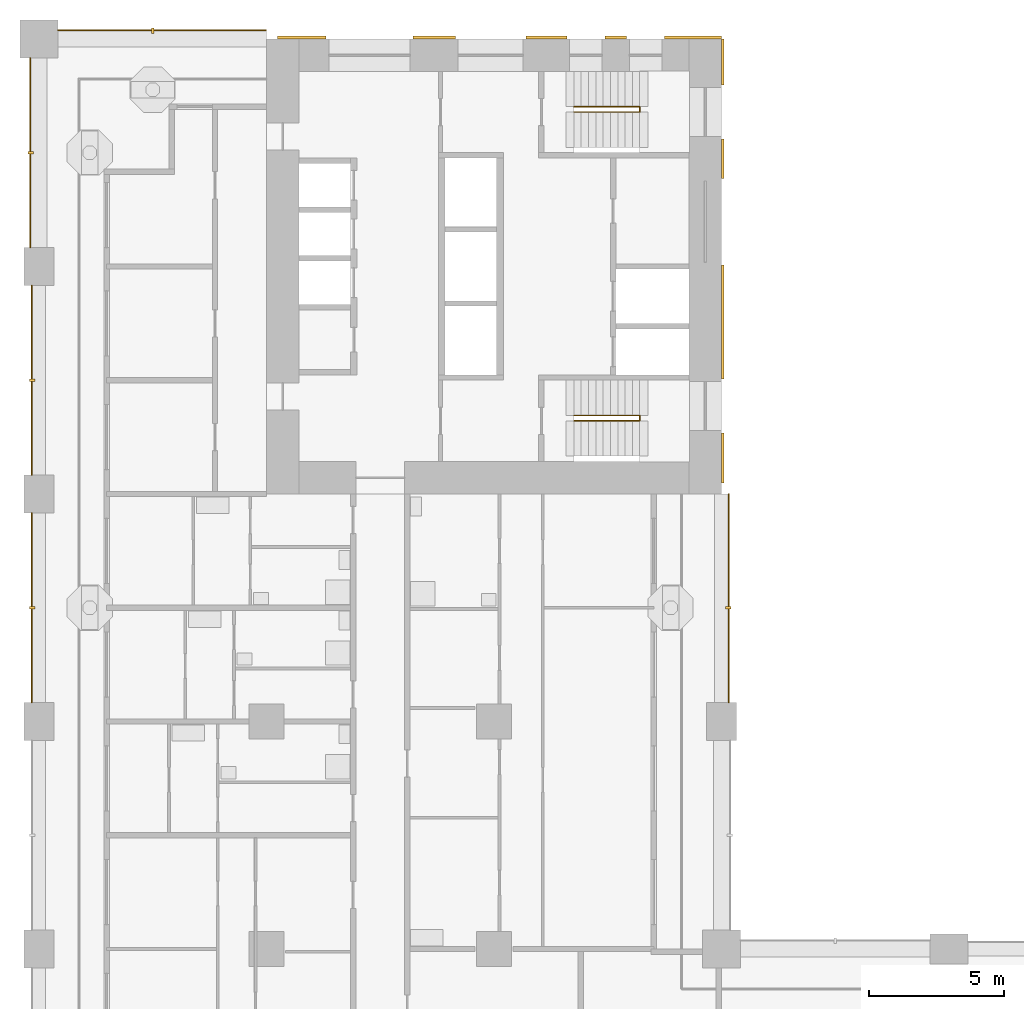
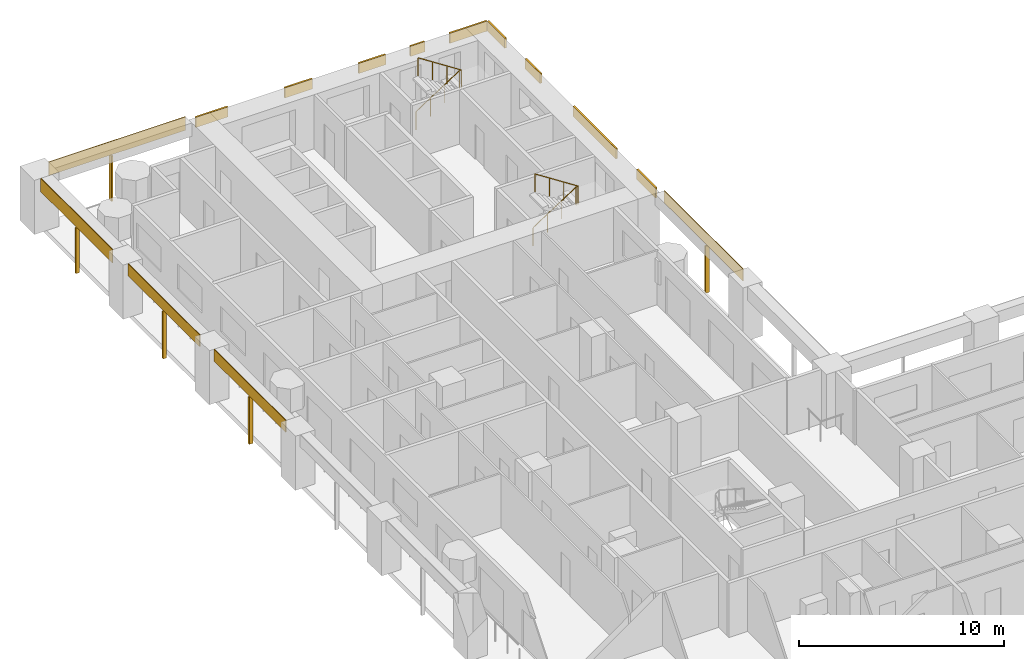
# One storey, part 14 of 19: 19 shading devices, 2 railings.
"""IFC4 building model written with IfcOpenShell, lengths in metres."""

from ifc_helpers import new_model, si_unit, direction, frame, origin, origin_2d, place, context, subcontext, project, spatial, rectangle, circle, extrude, material, layer, layer_set, material_profile, profile_set, type_object, element, save


model = new_model("IFC4")

# Units and contexts
model_context = context("Model", 3, precision=1e-05, world=origin(), true_north=direction((0.0, 1.0)))
body_context = subcontext(model_context, "Body", "Model", "MODEL_VIEW")
ifc_project = project(units=[si_unit("LENGTHUNIT", "METRE"), si_unit("AREAUNIT", "SQUARE_METRE"), si_unit("VOLUMEUNIT", "CUBIC_METRE"), si_unit("PLANEANGLEUNIT", "RADIAN"), si_unit("MASSUNIT", "GRAM", prefix="KILO")], contexts=[model_context])

# Site, building, storey
site_placement = place(None, origin())
site = spatial("IfcSite", under=ifc_project, at=site_placement, CompositionType="ELEMENT")
building_placement = place(site_placement, origin())
building = spatial("IfcBuilding", under=site, at=building_placement, Name="Vermilion Gate Residences", CompositionType="ELEMENT")
storey_placement = place(building_placement, frame((0.0, 0.0, 28.699951171875)))
storey = spatial("IfcBuildingStorey", under=building, at=storey_placement, Name="L05", CompositionType="ELEMENT", Elevation=28.699951171875)

# Shading devices
ifc_material_1 = material(Name="Perforated terracotta", Category="masonry")
ifc_layer_1 = layer(ifc_material_1, 0.0400390625)
ifc_layer_set_1 = layer_set([ifc_layer_1], Name="PERFORATED TERRACOTTA SCREEN 40")
shading_device_type_1 = type_object("IfcShadingDeviceType", Name="PERFORATED TERRACOTTA SCREEN 40", PredefinedType="SHUTTER", material=ifc_layer_set_1)
shading_device_1_placement = place(storey_placement, frame((25.469970703125, 38.14990234375, 2.52001953125), z_axis=(0.0, 0.0, 1.0), x_axis=(0.0, 1.0, 0.0)))
element("IfcShadingDevice", 1, at=shading_device_1_placement, inside=storey, type_object=shading_device_type_1, Name="SCREEN", PredefinedType="SHUTTER", context=body_context, shape_type="SweptSolid", body=[
    extrude(rectangle(XDim=7.699951171875, YDim=0.0400390625, at=origin_2d()), origin(), (0.0, 0.0, 1.0), 0.699951171875),
])
shading_device_2_placement = place(storey_placement, frame((4.550048828125, 59.1201171875, 2.419921875), z_axis=(0.0, 0.0, 1.0), x_axis=(-1.0, 0.0, 0.0)))
element("IfcShadingDevice", 2, at=shading_device_2_placement, inside=storey, type_object=shading_device_type_1, Name="SCREEN", PredefinedType="SHUTTER", context=body_context, shape_type="SweptSolid", body=[
    extrude(rectangle(XDim=7.699951171875, YDim=0.0400390625, at=origin_2d()), origin(), (0.0, 0.0, 1.0), 0.800048828125),
])
for number, where, z_axis, x_axis, name in (
    (3, (-0.27001953125, 37.800048828125, 2.52001953125), (0.0, 0.0, 1.0), (0.0, -1.0, 0.0), "SCREEN"),
    (4, (-0.27001953125, 46.199951171875, 2.52001953125), (0.0, 0.0, 1.0), (0.0, -1.0, 0.0), "SCREEN"),
):
    element("IfcShadingDevice", number, at=place(storey_placement, frame(where, z_axis=z_axis, x_axis=x_axis)), inside=storey, type_object=shading_device_type_1, Name=name, PredefinedType="SHUTTER", context=body_context, shape_type="SweptSolid", body=[
        extrude(rectangle(XDim=7.0, YDim=0.0400390625, at=origin_2d()), origin(), (0.0, 0.0, 1.0), 0.699951171875),
    ])
shading_device_3_placement = place(storey_placement, frame((-0.320068359375, 54.60009765625, 2.419921875), z_axis=(0.0, 0.0, 1.0), x_axis=(0.0, -1.0, 0.0)))
element("IfcShadingDevice", 5, at=shading_device_3_placement, inside=storey, type_object=shading_device_type_1, Name="SCREEN", PredefinedType="SHUTTER", context=body_context, shape_type="SweptSolid", body=[
    extrude(rectangle(XDim=7.0, YDim=0.0400390625, at=origin_2d()), origin(), (0.0, 0.0, 1.0), 0.800048828125),
])

# Railings
ifc_material_2 = material(Name="Steel S355", Category="steel")
railing_type = type_object("IfcRailingType", Name="STAIR GUARD 1100 STEEL", PredefinedType="GUARDRAIL", material=ifc_material_2)
for number, where, name in (
    (6, (19.75, 56.300048828125, 0.175048828125), "Stair well guard STB1-05"),
    (7, (19.75, 44.89990234375, 0.175048828125), "Stair well guard STB2-05"),
):
    element("IfcRailing", number, at=place(storey_placement, frame(where)), inside=storey, type_object=railing_type, Name=name, PredefinedType="GUARDRAIL", context=body_context, shape_type="SweptSolid", body=[
        extrude(circle(Radius=0.02392578125, at=origin_2d()), frame((0.0, 0.0, 1.076171875), z_axis=(0.839153699163, 0.0, 0.543894354798), x_axis=(0.0, 1.0, 0.0)), (0.0, 0.0, 1.0), 2.895751953125),
        extrude(circle(Radius=0.02392578125, at=origin_2d()), frame((2.429931640625, 0.0, 2.65087890625), z_axis=(0.0, -0.752405939678, 0.658699705433), x_axis=(1.0, 0.0, 0.0)), (0.0, 0.0, 1.0), 0.265869140625),
        extrude(circle(Radius=0.02392578125, at=origin_2d()), frame((2.429931640625, -0.199951171875, 2.826171875), z_axis=(-0.839153699163, 0.0, 0.543894354798), x_axis=(0.0, -1.0, 0.0)), (0.0, 0.0, 1.0), 2.895751953125),
        extrude(circle(Radius=0.02099609375, at=origin_2d()), origin(), (0.0, 0.0, 1.0), 1.052001953125),
        extrude(circle(Radius=0.02099609375, at=origin_2d()), frame((0.81005859375, 0.0, 0.52490234375)), (0.0, 0.0, 1.0), 1.052001953125),
        extrude(circle(Radius=0.02099609375, at=origin_2d()), frame((1.619873046875, 0.0, 1.050048828125)), (0.0, 0.0, 1.0), 1.052001953125),
        extrude(circle(Radius=0.02099609375, at=origin_2d()), frame((2.429931640625, 0.0, 1.574951171875)), (0.0, 0.0, 1.0), 1.052001953125),
        extrude(circle(Radius=0.02099609375, at=origin_2d()), frame((2.429931640625, -0.199951171875, 1.75)), (0.0, 0.0, 1.0), 1.052001953125),
        extrude(circle(Radius=0.02099609375, at=origin_2d()), frame((1.619873046875, -0.199951171875, 2.27490234375)), (0.0, 0.0, 1.0), 1.052001953125),
        extrude(circle(Radius=0.02099609375, at=origin_2d()), frame((0.81005859375, -0.199951171875, 2.800048828125)), (0.0, 0.0, 1.0), 1.052001953125),
        extrude(circle(Radius=0.02099609375, at=origin_2d()), frame((0.0, -0.199951171875, 3.324951171875)), (0.0, 0.0, 1.0), 1.052001953125),
    ])

# Shading devices
ifc_material_3 = material(Name="Extruded terracotta", Category="masonry")
ifc_material_profile = material_profile(ifc_material_3, rectangle(XDim=0.199951171875, YDim=0.10009765625, at=origin_2d()), Name="BAGUETTE 100 X 200")
ifc_profile_set = profile_set([ifc_material_profile], Name="Extruded terracotta")
shading_device_type_2 = type_object("IfcShadingDeviceType", Name="TERRACOTTA BAGUETTE 100 X 200", PredefinedType="JALOUSIE", material=ifc_profile_set)
shading_device_4_placement = place(storey_placement, frame((25.449951171875, 37.800048828125, -0.280029296875), z_axis=(0.0, 0.0, 1.0), x_axis=(-1.0, 0.0, 0.0)))
element("IfcShadingDevice", 8, at=shading_device_4_placement, inside=storey, type_object=shading_device_type_2, Name="BAGUETTE", PredefinedType="JALOUSIE", context=body_context, shape_type="SweptSolid", body=[
    extrude(rectangle(XDim=0.199951171875, YDim=0.10009765625, at=origin_2d()), origin(), (0.0, 0.0, 1.0), 2.800048828125),
])
shading_device_5_placement = place(storey_placement, frame((4.199951171875, 59.10009765625, -0.280029296875), z_axis=(0.0, 0.0, 1.0), x_axis=(0.0, -1.0, 0.0)))
element("IfcShadingDevice", 9, at=shading_device_5_placement, inside=storey, type_object=shading_device_type_2, Name="BAGUETTE", PredefinedType="JALOUSIE", context=body_context, shape_type="SweptSolid", body=[
    extrude(rectangle(XDim=0.199951171875, YDim=0.10009765625, at=origin_2d()), origin(), (0.0, 0.0, 1.0), 2.7001953125),
])
for number, where, z_axis, x_axis, name in (
    (10, (-0.25, 37.800048828125, -0.280029296875), (0.0, 0.0, 1.0), (1.0, 0.0, 0.0), "BAGUETTE"),
    (11, (-0.25, 46.199951171875, -0.280029296875), (0.0, 0.0, 1.0), (1.0, 0.0, 0.0), "BAGUETTE"),
):
    element("IfcShadingDevice", number, at=place(storey_placement, frame(where, z_axis=z_axis, x_axis=x_axis)), inside=storey, type_object=shading_device_type_2, Name=name, PredefinedType="JALOUSIE", context=body_context, shape_type="SweptSolid", body=[
        extrude(rectangle(XDim=0.199951171875, YDim=0.10009765625, at=origin_2d()), origin(), (0.0, 0.0, 1.0), 2.800048828125),
    ])
shading_device_6_placement = place(storey_placement, frame((-0.300048828125, 54.60009765625, -0.280029296875), z_axis=(0.0, 0.0, 1.0), x_axis=(1.0, 0.0, 0.0)))
element("IfcShadingDevice", 12, at=shading_device_6_placement, inside=storey, type_object=shading_device_type_2, Name="BAGUETTE", PredefinedType="JALOUSIE", context=body_context, shape_type="SweptSolid", body=[
    extrude(rectangle(XDim=0.199951171875, YDim=0.10009765625, at=origin_2d()), origin(), (0.0, 0.0, 1.0), 2.7001953125),
])
ifc_material_4 = material(Name="Extruded terracotta", Category="masonry")
ifc_layer_2 = layer(ifc_material_4, 0.10009765625)
ifc_layer_set_2 = layer_set([ifc_layer_2], Name="TERRACOTTA SPANDREL BAND 600 X 100")
shading_device_type_3 = type_object("IfcShadingDeviceType", Name="TERRACOTTA SPANDREL BAND 600 X 100", PredefinedType="USERDEFINED", material=ifc_layer_set_2)
shading_device_7_placement = place(storey_placement, frame((9.702392578125, 58.85009765625, 2.6201171875), z_axis=(0.0, 0.0, 1.0), x_axis=(1.0, 0.0, 0.0)))
element("IfcShadingDevice", 13, at=shading_device_7_placement, inside=storey, type_object=shading_device_type_3, Name="SPANDREL BAND", ObjectType="BAND", PredefinedType="USERDEFINED", context=body_context, shape_type="SweptSolid", body=[
    extrude(rectangle(XDim=1.804931640625, YDim=0.10009765625, at=origin_2d()), origin(), (0.0, 0.0, 1.0), 0.60009765625),
])
shading_device_8_placement = place(storey_placement, frame((14.590087890625, 58.85009765625, 2.6201171875), z_axis=(0.0, 0.0, 1.0), x_axis=(1.0, 0.0, 0.0)))
element("IfcShadingDevice", 14, at=shading_device_8_placement, inside=storey, type_object=shading_device_type_3, Name="SPANDREL BAND", ObjectType="BAND", PredefinedType="USERDEFINED", context=body_context, shape_type="SweptSolid", body=[
    extrude(rectangle(XDim=1.570068359375, YDim=0.10009765625, at=origin_2d()), origin(), (0.0, 0.0, 1.0), 0.60009765625),
])
shading_device_9_placement = place(storey_placement, frame((18.734130859375, 58.85009765625, 2.6201171875), z_axis=(0.0, 0.0, 1.0), x_axis=(1.0, 0.0, 0.0)))
element("IfcShadingDevice", 15, at=shading_device_9_placement, inside=storey, type_object=shading_device_type_3, Name="SPANDREL BAND", ObjectType="BAND", PredefinedType="USERDEFINED", context=body_context, shape_type="SweptSolid", body=[
    extrude(rectangle(XDim=1.518310546875, YDim=0.10009765625, at=origin_2d()), origin(), (0.0, 0.0, 1.0), 0.60009765625),
])
shading_device_10_placement = place(storey_placement, frame((21.294921875, 58.85009765625, 2.6201171875), z_axis=(0.0, 0.0, 1.0), x_axis=(1.0, 0.0, 0.0)))
element("IfcShadingDevice", 16, at=shading_device_10_placement, inside=storey, type_object=shading_device_type_3, Name="SPANDREL BAND", ObjectType="BAND", PredefinedType="USERDEFINED", context=body_context, shape_type="SweptSolid", body=[
    extrude(rectangle(XDim=0.803466796875, YDim=0.10009765625, at=origin_2d()), origin(), (0.0, 0.0, 1.0), 0.60009765625),
])
shading_device_11_placement = place(storey_placement, frame((24.1484375, 58.85009765625, 2.6201171875), z_axis=(0.0, 0.0, 1.0), x_axis=(1.0, 0.0, 0.0)))
element("IfcShadingDevice", 17, at=shading_device_11_placement, inside=storey, type_object=shading_device_type_3, Name="SPANDREL BAND", ObjectType="BAND", PredefinedType="USERDEFINED", context=body_context, shape_type="SweptSolid", body=[
    extrude(rectangle(XDim=2.103271484375, YDim=0.10009765625, at=origin_2d()), origin(), (0.0, 0.0, 1.0), 0.60009765625),
])
shading_device_12_placement = place(storey_placement, frame((25.25, 43.324951171875, 2.6201171875), z_axis=(0.0, 0.0, 1.0), x_axis=(0.0, 1.0, 0.0)))
element("IfcShadingDevice", 18, at=shading_device_12_placement, inside=storey, type_object=shading_device_type_3, Name="SPANDREL BAND", ObjectType="BAND", PredefinedType="USERDEFINED", context=body_context, shape_type="SweptSolid", body=[
    extrude(rectangle(XDim=1.85009765625, YDim=0.10009765625, at=origin_2d()), origin(), (0.0, 0.0, 1.0), 0.60009765625),
])
shading_device_13_placement = place(storey_placement, frame((25.25, 48.35009765625, 2.6201171875), z_axis=(0.0, 0.0, 1.0), x_axis=(0.0, 1.0, 0.0)))
element("IfcShadingDevice", 19, at=shading_device_13_placement, inside=storey, type_object=shading_device_type_3, Name="SPANDREL BAND", ObjectType="BAND", PredefinedType="USERDEFINED", context=body_context, shape_type="SweptSolid", body=[
    extrude(rectangle(XDim=4.199951171875, YDim=0.10009765625, at=origin_2d()), origin(), (0.0, 0.0, 1.0), 0.60009765625),
])
shading_device_14_placement = place(storey_placement, frame((25.25, 54.375, 2.6201171875), z_axis=(0.0, 0.0, 1.0), x_axis=(0.0, 1.0, 0.0)))
element("IfcShadingDevice", 20, at=shading_device_14_placement, inside=storey, type_object=shading_device_type_3, Name="SPANDREL BAND", ObjectType="BAND", PredefinedType="USERDEFINED", context=body_context, shape_type="SweptSolid", body=[
    extrude(rectangle(XDim=1.449951171875, YDim=0.10009765625, at=origin_2d()), origin(), (0.0, 0.0, 1.0), 0.60009765625),
])
shading_device_15_placement = place(storey_placement, frame((25.25, 57.949951171875, 2.6201171875), z_axis=(0.0, 0.0, 1.0), x_axis=(0.0, 1.0, 0.0)))
element("IfcShadingDevice", 21, at=shading_device_15_placement, inside=storey, type_object=shading_device_type_3, Name="SPANDREL BAND", ObjectType="BAND", PredefinedType="USERDEFINED", context=body_context, shape_type="SweptSolid", body=[
    extrude(rectangle(XDim=1.699951171875, YDim=0.10009765625, at=origin_2d()), origin(), (0.0, 0.0, 1.0), 0.60009765625),
])

save(model, "model.ifc")
